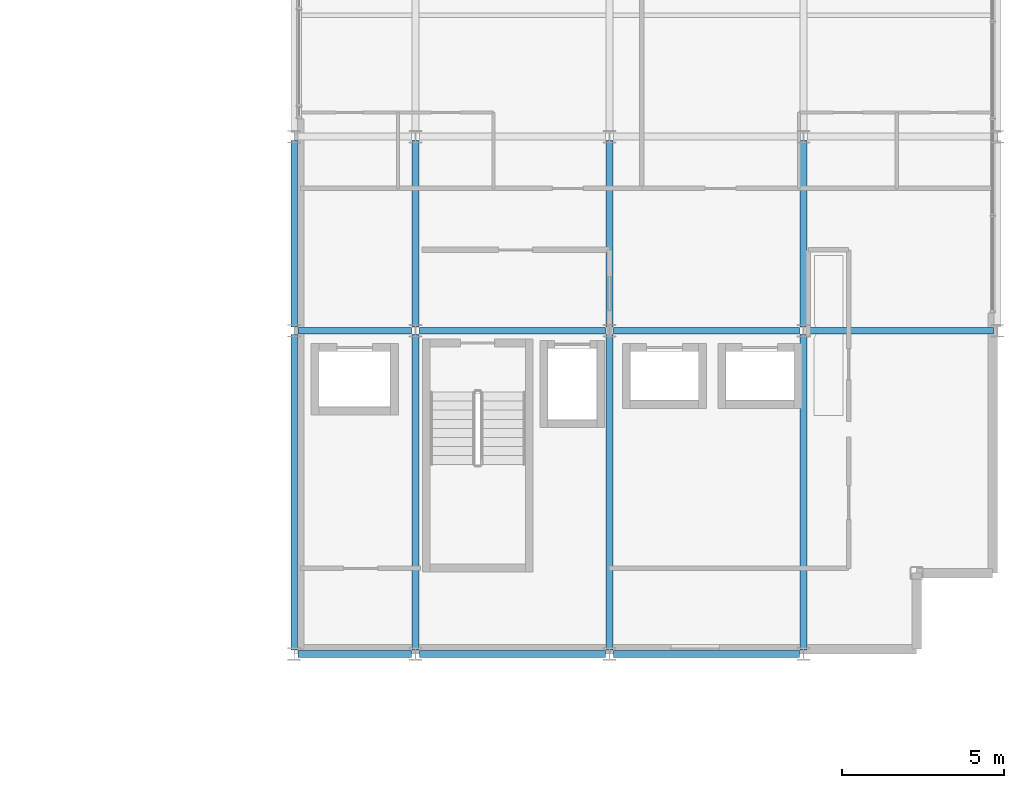
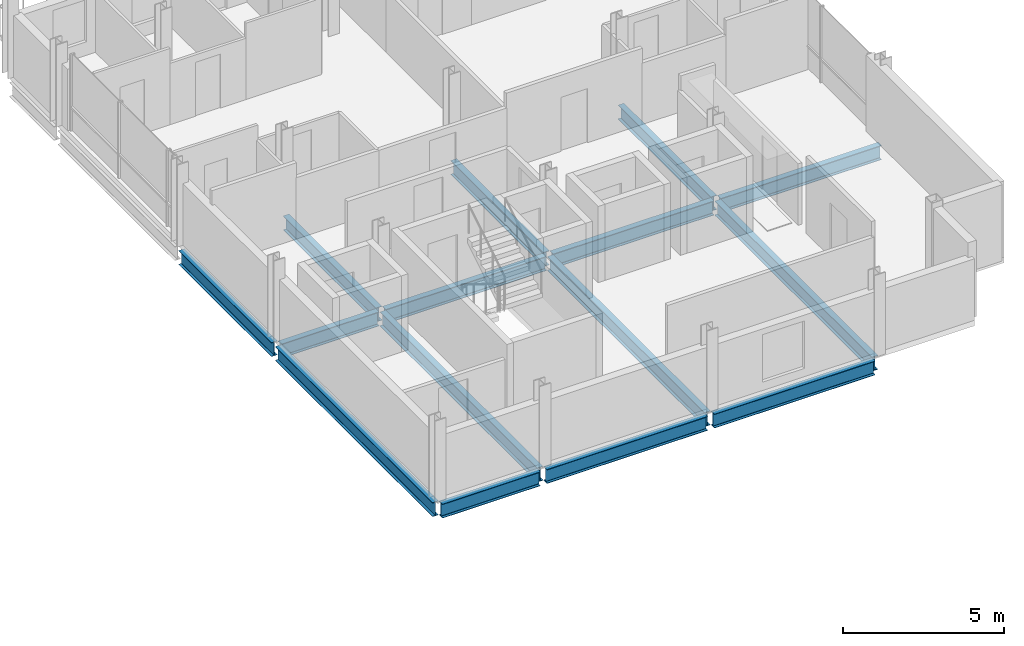
# One storey, part 9 of 27: 15 beams.
"""IFC4 building model written with IfcOpenShell, lengths in metres."""

from ifc_helpers import new_model, si_unit, direction, frame, origin, origin_2d, place, context, subcontext, project, spatial, i_section, extrude, material, material_profile, profile_set, type_object, element, save


model = new_model("IFC4")

# Units and contexts
model_context = context("Model", 3, precision=1e-05, world=origin(), true_north=direction((0.0, 1.0)))
body_context = subcontext(model_context, "Body", "Model", "MODEL_VIEW")
ifc_project = project(units=[si_unit("LENGTHUNIT", "METRE"), si_unit("AREAUNIT", "SQUARE_METRE"), si_unit("VOLUMEUNIT", "CUBIC_METRE"), si_unit("PLANEANGLEUNIT", "RADIAN"), si_unit("MASSUNIT", "GRAM", prefix="KILO")], contexts=[model_context])

# Site, building, storey
site_placement = place(None, origin())
site = spatial("IfcSite", under=ifc_project, at=site_placement, CompositionType="ELEMENT")
building_placement = place(site_placement, origin())
building = spatial("IfcBuilding", under=site, at=building_placement, Name="Brevholm Reach", CompositionType="ELEMENT")
storey_placement = place(building_placement, frame((0.0, 0.0, 195.60009765625)))
storey = spatial("IfcBuildingStorey", under=building, at=storey_placement, Name="L59", CompositionType="ELEMENT", Elevation=195.60009765625)

# Beams
ifc_material_1 = material(Name="Structural Steel S355J2", Category="steel")
ifc_material_profile_1 = material_profile(ifc_material_1, i_section(OverallWidth=0.209228515625, OverallDepth=0.533203125, WebThickness=0.010009765625, FlangeThickness=0.015625, FilletRadius=0.0126953125, at=origin_2d()), Name="UKB 533x210x92")
ifc_profile_set_1 = profile_set([ifc_material_profile_1], Name="Structural Steel S355J2")
beam_type_1 = type_object("IfcBeamType", Name="BM-SP533", PredefinedType="SPANDREL", material=ifc_profile_set_1)
beam_1_placement = place(storey_placement, frame((38.3701171875, 0.0, -0.4765625), z_axis=(1.0, 0.0, 0.0), x_axis=(0.0, 1.0, 0.0)))
element("IfcBeam", 1, at=beam_1_placement, inside=storey, type_object=beam_type_1, Name="L59 SP-02 Framing Beam", PredefinedType="SPANDREL", context=body_context, shape_type="SweptSolid", body=[
    extrude(i_section(OverallWidth=0.209228515625, OverallDepth=0.533203125, WebThickness=0.010009765625, FlangeThickness=0.015625, FilletRadius=0.0126953125, at=origin_2d()), origin(), (0.0, 0.0, 1.0), 3.509765625),
])
for number, where, z_axis, x_axis, name in (
    (2, (42.1201171875, 0.0, -0.4765625), (1.0, 0.0, 0.0), (0.0, 1.0, 0.0), "L59 SP-02 Framing Beam"),
    (3, (48.1201171875, 0.0, -0.4765625), (1.0, 0.0, 0.0), (0.0, 1.0, 0.0), "L59 SP-02 Framing Beam"),
):
    element("IfcBeam", number, at=place(storey_placement, frame(where, z_axis=z_axis, x_axis=x_axis)), inside=storey, type_object=beam_type_1, Name=name, PredefinedType="SPANDREL", context=body_context, shape_type="SweptSolid", body=[
        extrude(i_section(OverallWidth=0.209228515625, OverallDepth=0.533203125, WebThickness=0.010009765625, FlangeThickness=0.015625, FilletRadius=0.0126953125, at=origin_2d()), origin(), (0.0, 0.0, 1.0), 5.759765625),
    ])
beam_2_placement = place(storey_placement, frame((38.25, 0.1201171875, -0.4765625), z_axis=(0.0, 1.0, 0.0), x_axis=(-1.0, 0.0, 0.0)))
element("IfcBeam", 4, at=beam_2_placement, inside=storey, type_object=beam_type_1, Name="L59 SP-02 Framing Beam", PredefinedType="SPANDREL", context=body_context, shape_type="SweptSolid", body=[
    extrude(i_section(OverallWidth=0.209228515625, OverallDepth=0.533203125, WebThickness=0.010009765625, FlangeThickness=0.015625, FilletRadius=0.0126953125, at=origin_2d()), origin(), (0.0, 0.0, 1.0), 9.759765625),
])
beam_3_placement = place(storey_placement, frame((38.25, 10.1201171875, -0.4765625), z_axis=(0.0, 1.0, 0.0), x_axis=(-1.0, 0.0, 0.0)))
element("IfcBeam", 5, at=beam_3_placement, inside=storey, type_object=beam_type_1, Name="L59 SP-02 Framing Beam", PredefinedType="SPANDREL", context=body_context, shape_type="SweptSolid", body=[
    extrude(i_section(OverallWidth=0.209228515625, OverallDepth=0.533203125, WebThickness=0.010009765625, FlangeThickness=0.015625, FilletRadius=0.0126953125, at=origin_2d()), origin(), (0.0, 0.0, 1.0), 5.759765625),
])
ifc_material_2 = material(Name="Structural Steel S355J2", Category="steel")
ifc_material_profile_2 = material_profile(ifc_material_2, i_section(OverallWidth=0.210693359375, OverallDepth=0.53955078125, WebThickness=0.01171875, FlangeThickness=0.018798828125, FilletRadius=0.0126953125, at=origin_2d()), Name="UKB 533x210x109")
ifc_profile_set_2 = profile_set([ifc_material_profile_2], Name="Structural Steel S355J2")
beam_type_2 = type_object("IfcBeamType", Name="BM-SP539", PredefinedType="SPANDREL", material=ifc_profile_set_2)
beam_4_placement = place(storey_placement, frame((38.3701171875, 10.0, -0.479736328125), z_axis=(1.0, 0.0, 0.0), x_axis=(0.0, 1.0, 0.0)))
element("IfcBeam", 6, at=beam_4_placement, inside=storey, type_object=beam_type_2, Name="L59 SP-01B Framing Beam", PredefinedType="SPANDREL", context=body_context, shape_type="SweptSolid", body=[
    extrude(i_section(OverallWidth=0.210693359375, OverallDepth=0.53955078125, WebThickness=0.01171875, FlangeThickness=0.018798828125, FilletRadius=0.0126953125, at=origin_2d()), origin(), (0.0, 0.0, 1.0), 3.509765625),
])
for number, where, z_axis, x_axis, name in (
    (7, (42.1201171875, 10.0, -0.479736328125), (1.0, 0.0, 0.0), (0.0, 1.0, 0.0), "L59 SP-01B Framing Beam"),
    (8, (48.1201171875, 10.0, -0.479736328125), (1.0, 0.0, 0.0), (0.0, 1.0, 0.0), "L59 SP-01B Framing Beam"),
    (9, (54.1201171875, 10.0, -0.479736328125), (1.0, 0.0, 0.0), (0.0, 1.0, 0.0), "L59 SP-01B Framing Beam"),
):
    element("IfcBeam", number, at=place(storey_placement, frame(where, z_axis=z_axis, x_axis=x_axis)), inside=storey, type_object=beam_type_2, Name=name, PredefinedType="SPANDREL", context=body_context, shape_type="SweptSolid", body=[
        extrude(i_section(OverallWidth=0.210693359375, OverallDepth=0.53955078125, WebThickness=0.01171875, FlangeThickness=0.018798828125, FilletRadius=0.0126953125, at=origin_2d()), origin(), (0.0, 0.0, 1.0), 5.759765625),
    ])
beam_5_placement = place(storey_placement, frame((42.0, 0.1201171875, -0.479736328125), z_axis=(0.0, 1.0, 0.0), x_axis=(-1.0, 0.0, 0.0)))
element("IfcBeam", 10, at=beam_5_placement, inside=storey, type_object=beam_type_2, Name="L59 SP-01B Framing Beam", PredefinedType="SPANDREL", context=body_context, shape_type="SweptSolid", body=[
    extrude(i_section(OverallWidth=0.210693359375, OverallDepth=0.53955078125, WebThickness=0.01171875, FlangeThickness=0.018798828125, FilletRadius=0.0126953125, at=origin_2d()), origin(), (0.0, 0.0, 1.0), 9.759765625),
])
beam_6_placement = place(storey_placement, frame((42.0, 10.1201171875, -0.479736328125), z_axis=(0.0, 1.0, 0.0), x_axis=(-1.0, 0.0, 0.0)))
element("IfcBeam", 11, at=beam_6_placement, inside=storey, type_object=beam_type_2, Name="L59 SP-01B Framing Beam", PredefinedType="SPANDREL", context=body_context, shape_type="SweptSolid", body=[
    extrude(i_section(OverallWidth=0.210693359375, OverallDepth=0.53955078125, WebThickness=0.01171875, FlangeThickness=0.018798828125, FilletRadius=0.0126953125, at=origin_2d()), origin(), (0.0, 0.0, 1.0), 5.759765625),
])
beam_7_placement = place(storey_placement, frame((48.0, 0.1201171875, -0.479736328125), z_axis=(0.0, 1.0, 0.0), x_axis=(-1.0, 0.0, 0.0)))
element("IfcBeam", 12, at=beam_7_placement, inside=storey, type_object=beam_type_2, Name="L59 SP-01B Framing Beam", PredefinedType="SPANDREL", context=body_context, shape_type="SweptSolid", body=[
    extrude(i_section(OverallWidth=0.210693359375, OverallDepth=0.53955078125, WebThickness=0.01171875, FlangeThickness=0.018798828125, FilletRadius=0.0126953125, at=origin_2d()), origin(), (0.0, 0.0, 1.0), 9.759765625),
])
beam_8_placement = place(storey_placement, frame((48.0, 10.1201171875, -0.479736328125), z_axis=(0.0, 1.0, 0.0), x_axis=(-1.0, 0.0, 0.0)))
element("IfcBeam", 13, at=beam_8_placement, inside=storey, type_object=beam_type_2, Name="L59 SP-01B Framing Beam", PredefinedType="SPANDREL", context=body_context, shape_type="SweptSolid", body=[
    extrude(i_section(OverallWidth=0.210693359375, OverallDepth=0.53955078125, WebThickness=0.01171875, FlangeThickness=0.018798828125, FilletRadius=0.0126953125, at=origin_2d()), origin(), (0.0, 0.0, 1.0), 5.759765625),
])
beam_9_placement = place(storey_placement, frame((54.0, 0.1201171875, -0.479736328125), z_axis=(0.0, 1.0, 0.0), x_axis=(-1.0, 0.0, 0.0)))
element("IfcBeam", 14, at=beam_9_placement, inside=storey, type_object=beam_type_2, Name="L59 SP-01B Framing Beam", PredefinedType="SPANDREL", context=body_context, shape_type="SweptSolid", body=[
    extrude(i_section(OverallWidth=0.210693359375, OverallDepth=0.53955078125, WebThickness=0.01171875, FlangeThickness=0.018798828125, FilletRadius=0.0126953125, at=origin_2d()), origin(), (0.0, 0.0, 1.0), 9.759765625),
])
beam_10_placement = place(storey_placement, frame((54.0, 10.1201171875, -0.479736328125), z_axis=(0.0, 1.0, 0.0), x_axis=(-1.0, 0.0, 0.0)))
element("IfcBeam", 15, at=beam_10_placement, inside=storey, type_object=beam_type_2, Name="L59 SP-01B Framing Beam", PredefinedType="SPANDREL", context=body_context, shape_type="SweptSolid", body=[
    extrude(i_section(OverallWidth=0.210693359375, OverallDepth=0.53955078125, WebThickness=0.01171875, FlangeThickness=0.018798828125, FilletRadius=0.0126953125, at=origin_2d()), origin(), (0.0, 0.0, 1.0), 5.759765625),
])

save(model, "model.ifc")
